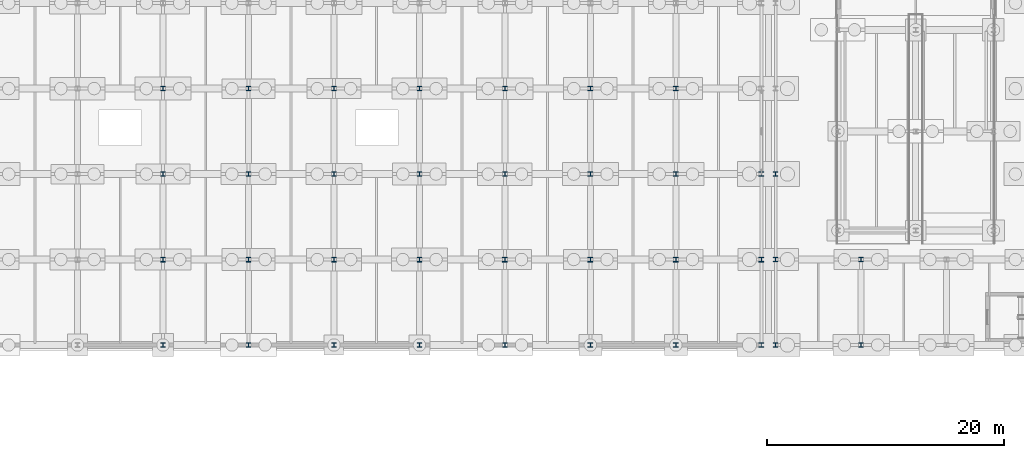
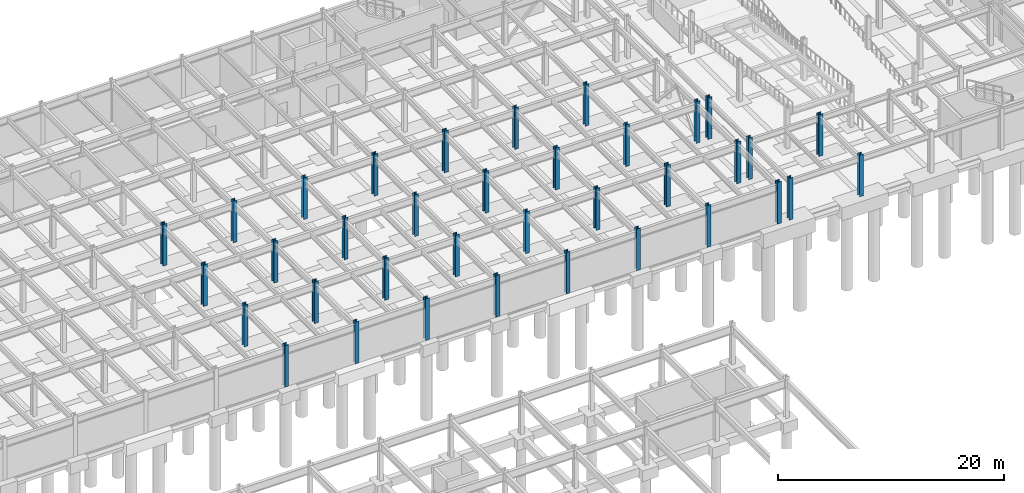
# One storey, part 20 of 54: 36 columns.
"""IFC4 building model written with IfcOpenShell, lengths in metres."""

from ifc_helpers import new_model, si_unit, direction, frame, origin, origin_2d, place, context, subcontext, project, spatial, i_section, extrude, material, material_profile, profile_set, type_object, element, save


model = new_model("IFC4")

# Units and contexts
model_context = context("Model", 3, precision=1e-05, world=origin(), true_north=direction((0.0, 1.0)))
body_context = subcontext(model_context, "Body", "Model", "MODEL_VIEW")
ifc_project = project(units=[si_unit("LENGTHUNIT", "METRE"), si_unit("AREAUNIT", "SQUARE_METRE"), si_unit("VOLUMEUNIT", "CUBIC_METRE"), si_unit("PLANEANGLEUNIT", "RADIAN"), si_unit("MASSUNIT", "GRAM", prefix="KILO")], contexts=[model_context])

# Site, building, storey
site_placement = place(None, origin())
site = spatial("IfcSite", under=ifc_project, at=site_placement, CompositionType="ELEMENT")
building_placement = place(site_placement, origin())
building = spatial("IfcBuilding", under=site, at=building_placement, Name="Vaelcorin Mobility Hub", CompositionType="ELEMENT")
storey_placement = place(building_placement, frame((0.0, 0.0, -4.5)))
storey = spatial("IfcBuildingStorey", under=building, at=storey_placement, Name="B1", CompositionType="ELEMENT", Elevation=-4.5)

# Columns
ifc_material = material(Name="Steel ASTM A992 Grade 50", Category="steel")
ifc_material_profile_1 = material_profile(ifc_material, i_section(OverallWidth=0.39892578125, OverallDepth=0.39404296875, WebThickness=0.022705078125, FlangeThickness=0.03662109375, FilletRadius=0.014892578125, at=origin_2d()), Name="W14X193")
ifc_profile_set_1 = profile_set([ifc_material_profile_1], Name="Steel ASTM A992 Grade 50")
column_type_1 = type_object("IfcColumnType", Name="COL-W14X193", PredefinedType="COLUMN", material=ifc_profile_set_1)
for number, where, z_axis, x_axis, name in (
    (1, (123.60009765625, 76.800048828125, 0.0), (0.0, 0.0, 1.0), (1.0, 0.0, 0.0), "Column V2E-G1x1 B1"),
    (2, (123.60009765625, 84.0, 0.0), (0.0, 0.0, 1.0), (1.0, 0.0, 0.0), "Column V2E-G1x2 B1"),
    (3, (123.60009765625, 91.199951171875, 0.0), (0.0, 0.0, 1.0), (1.0, 0.0, 0.0), "Column V2E-G1x3 B1"),
    (4, (130.800048828125, 76.800048828125, 0.0), (0.0, 0.0, 1.0), (1.0, 0.0, 0.0), "Column V2E-G2x1 B1"),
    (5, (130.800048828125, 84.0, 0.0), (0.0, 0.0, 1.0), (1.0, 0.0, 0.0), "Column V2E-G2x2 B1"),
):
    element("IfcColumn", number, at=place(storey_placement, frame(where, z_axis=z_axis, x_axis=x_axis)), inside=storey, type_object=column_type_1, Name=name, PredefinedType="COLUMN", context=body_context, shape_type="SweptSolid", body=[
        extrude(i_section(OverallWidth=0.39892578125, OverallDepth=0.39404296875, WebThickness=0.022705078125, FlangeThickness=0.03662109375, FilletRadius=0.014892578125, at=origin_2d()), origin(), (0.0, 0.0, 1.0), 4.5),
    ])
ifc_material_profile_2 = material_profile(ifc_material, i_section(OverallWidth=0.404052734375, OverallDepth=0.406005859375, WebThickness=0.027099609375, FlangeThickness=0.043701171875, FilletRadius=0.014892578125, at=origin_2d()), Name="W14X233")
ifc_profile_set_2 = profile_set([ifc_material_profile_2], Name="Steel ASTM A992 Grade 50")
column_type_2 = type_object("IfcColumnType", Name="COL-W14X233", PredefinedType="COLUMN", material=ifc_profile_set_2)
for number, where, z_axis, x_axis, name in (
    (6, (72.0, 76.800048828125, 0.0), (0.0, 0.0, 1.0), (1.0, 0.0, 0.0), "Column V4-X06Y01 B1"),
    (7, (72.0, 91.199951171875, 0.0), (0.0, 0.0, 1.0), (1.0, 0.0, 0.0), "Column V4-X06Y03 B1"),
    (8, (72.0, 98.39990234375, 0.0), (0.0, 0.0, 1.0), (1.0, 0.0, 0.0), "Column V4-X06Y04 B1"),
    (9, (79.199951171875, 76.800048828125, 0.0), (0.0, 0.0, 1.0), (1.0, 0.0, 0.0), "Column V4-X07Y01 B1"),
    (10, (79.199951171875, 91.199951171875, 0.0), (0.0, 0.0, 1.0), (1.0, 0.0, 0.0), "Column V4-X07Y03 B1"),
    (11, (79.199951171875, 98.39990234375, 0.0), (0.0, 0.0, 1.0), (1.0, 0.0, 0.0), "Column V4-X07Y04 B1"),
    (12, (86.39990234375, 76.800048828125, 0.0), (0.0, 0.0, 1.0), (1.0, 0.0, 0.0), "Column V4-X08Y01 B1"),
    (13, (86.39990234375, 91.199951171875, 0.0), (0.0, 0.0, 1.0), (1.0, 0.0, 0.0), "Column V4-X08Y03 B1"),
    (14, (86.39990234375, 98.39990234375, 0.0), (0.0, 0.0, 1.0), (1.0, 0.0, 0.0), "Column V4-X08Y04 B1"),
    (15, (93.60009765625, 76.800048828125, 0.0), (0.0, 0.0, 1.0), (1.0, 0.0, 0.0), "Column V4-X09Y01 B1"),
    (16, (93.60009765625, 91.199951171875, 0.0), (0.0, 0.0, 1.0), (1.0, 0.0, 0.0), "Column V4-X09Y03 B1"),
    (17, (93.60009765625, 98.39990234375, 0.0), (0.0, 0.0, 1.0), (1.0, 0.0, 0.0), "Column V4-X09Y04 B1"),
    (18, (100.800048828125, 76.800048828125, 0.0), (0.0, 0.0, 1.0), (1.0, 0.0, 0.0), "Column V4-X10Y01 B1"),
    (19, (100.800048828125, 91.199951171875, 0.0), (0.0, 0.0, 1.0), (1.0, 0.0, 0.0), "Column V4-X10Y03 B1"),
    (20, (100.800048828125, 98.39990234375, 0.0), (0.0, 0.0, 1.0), (1.0, 0.0, 0.0), "Column V4-X10Y04 B1"),
    (21, (108.0, 76.800048828125, 0.0), (0.0, 0.0, 1.0), (1.0, 0.0, 0.0), "Column V4-X11Y01 B1"),
    (22, (108.0, 91.199951171875, 0.0), (0.0, 0.0, 1.0), (1.0, 0.0, 0.0), "Column V4-X11Y03 B1"),
    (23, (108.0, 98.39990234375, 0.0), (0.0, 0.0, 1.0), (1.0, 0.0, 0.0), "Column V4-X11Y04 B1"),
    (24, (115.199951171875, 76.800048828125, 0.0), (0.0, 0.0, 1.0), (1.0, 0.0, 0.0), "Column V4-X12Y01 B1"),
    (25, (115.199951171875, 91.199951171875, 0.0), (0.0, 0.0, 1.0), (1.0, 0.0, 0.0), "Column V4-X12Y03 B1"),
    (26, (115.199951171875, 98.39990234375, 0.0), (0.0, 0.0, 1.0), (1.0, 0.0, 0.0), "Column V4-X12Y04 B1"),
    (27, (122.39990234375, 76.800048828125, 0.0), (0.0, 0.0, 1.0), (1.0, 0.0, 0.0), "Column V4-X13Y01 B1"),
    (28, (122.39990234375, 91.199951171875, 0.0), (0.0, 0.0, 1.0), (1.0, 0.0, 0.0), "Column V4-X13Y03 B1"),
):
    element("IfcColumn", number, at=place(storey_placement, frame(where, z_axis=z_axis, x_axis=x_axis)), inside=storey, type_object=column_type_2, Name=name, PredefinedType="COLUMN", context=body_context, shape_type="SweptSolid", body=[
        extrude(i_section(OverallWidth=0.404052734375, OverallDepth=0.406005859375, WebThickness=0.027099609375, FlangeThickness=0.043701171875, FilletRadius=0.014892578125, at=origin_2d()), origin(), (0.0, 0.0, 1.0), 4.5),
    ])
ifc_material_profile_3 = material_profile(ifc_material, i_section(OverallWidth=0.408935546875, OverallDepth=0.424072265625, WebThickness=0.03271484375, FlangeThickness=0.052490234375, FilletRadius=0.014892578125, at=origin_2d()), Name="W14X283")
ifc_profile_set_3 = profile_set([ifc_material_profile_3], Name="Steel ASTM A992 Grade 50")
column_type_3 = type_object("IfcColumnType", Name="COL-W14X283", PredefinedType="COLUMN", material=ifc_profile_set_3)
for number, where, z_axis, x_axis, name in (
    (29, (72.0, 84.0, 0.0), (0.0, 0.0, 1.0), (1.0, 0.0, 0.0), "Column V4-X06Y02 B1"),
    (30, (79.199951171875, 84.0, 0.0), (0.0, 0.0, 1.0), (1.0, 0.0, 0.0), "Column V4-X07Y02 B1"),
    (31, (86.39990234375, 84.0, 0.0), (0.0, 0.0, 1.0), (1.0, 0.0, 0.0), "Column V4-X08Y02 B1"),
    (32, (93.60009765625, 84.0, 0.0), (0.0, 0.0, 1.0), (1.0, 0.0, 0.0), "Column V4-X09Y02 B1"),
    (33, (100.800048828125, 84.0, 0.0), (0.0, 0.0, 1.0), (1.0, 0.0, 0.0), "Column V4-X10Y02 B1"),
    (34, (108.0, 84.0, 0.0), (0.0, 0.0, 1.0), (1.0, 0.0, 0.0), "Column V4-X11Y02 B1"),
    (35, (115.199951171875, 84.0, 0.0), (0.0, 0.0, 1.0), (1.0, 0.0, 0.0), "Column V4-X12Y02 B1"),
    (36, (122.39990234375, 84.0, 0.0), (0.0, 0.0, 1.0), (1.0, 0.0, 0.0), "Column V4-X13Y02 B1"),
):
    element("IfcColumn", number, at=place(storey_placement, frame(where, z_axis=z_axis, x_axis=x_axis)), inside=storey, type_object=column_type_3, Name=name, PredefinedType="COLUMN", context=body_context, shape_type="SweptSolid", body=[
        extrude(i_section(OverallWidth=0.408935546875, OverallDepth=0.424072265625, WebThickness=0.03271484375, FlangeThickness=0.052490234375, FilletRadius=0.014892578125, at=origin_2d()), origin(), (0.0, 0.0, 1.0), 4.5),
    ])

save(model, "model.ifc")
